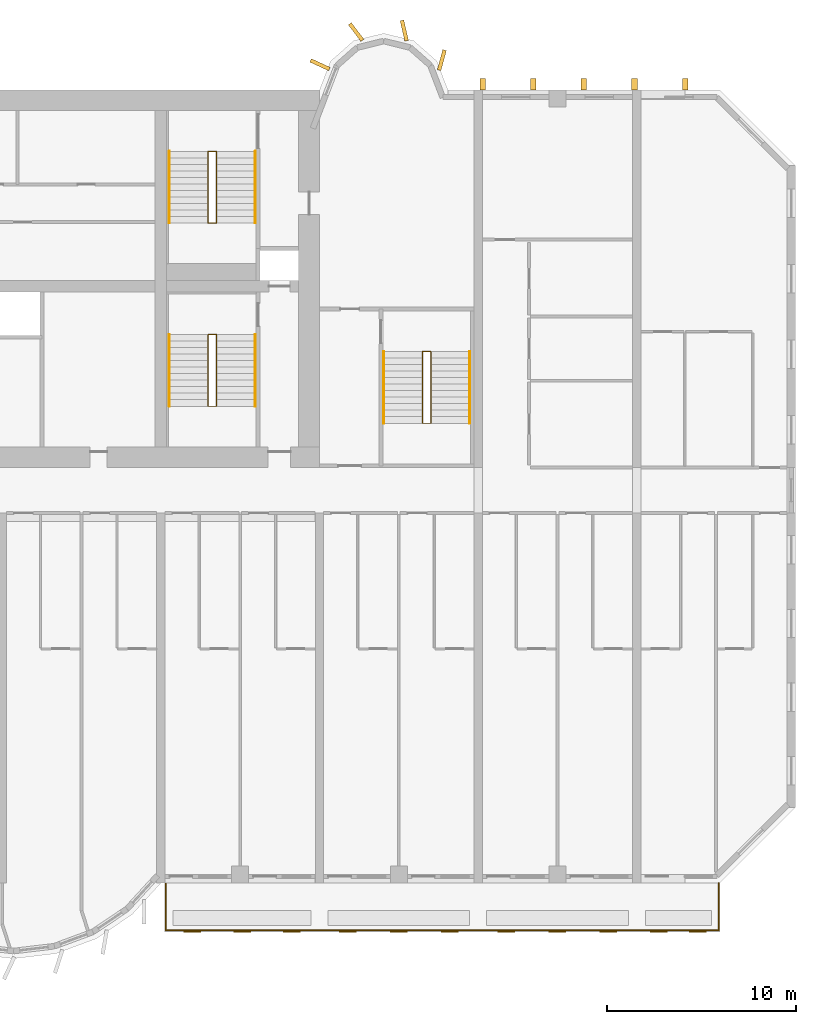
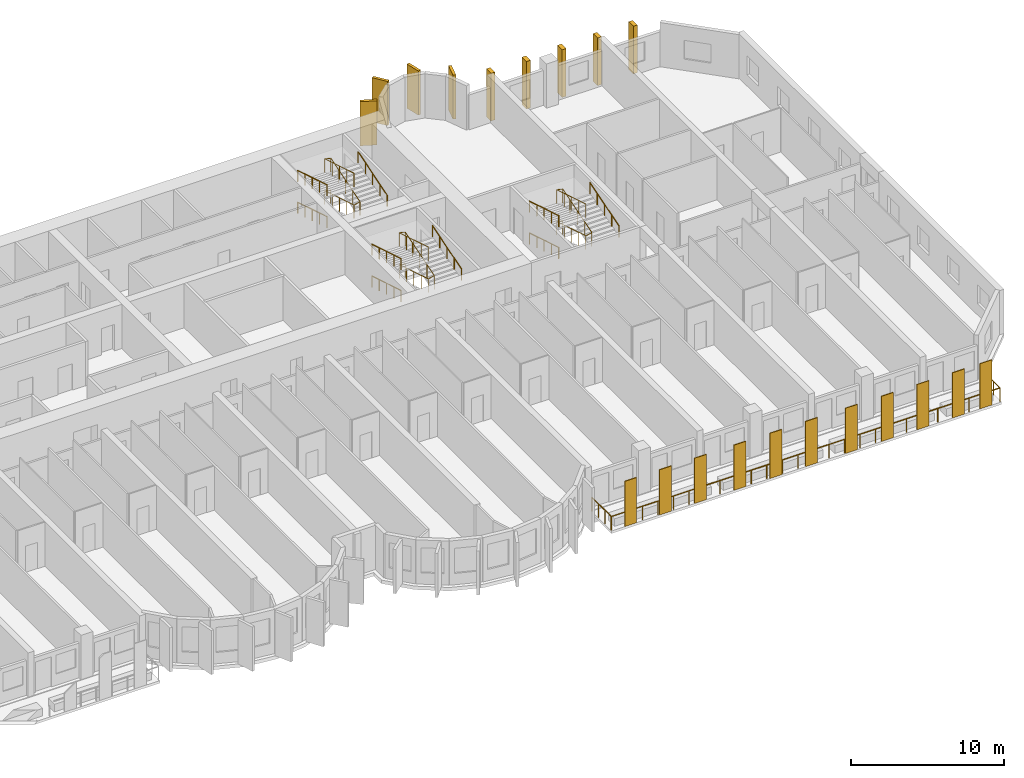
# One storey, part 14 of 15: 20 coverings, 13 railings.
"""IFC4 building model written with IfcOpenShell, lengths in metres."""

from ifc_helpers import new_model, si_unit, direction, frame, origin, origin_2d, place, context, subcontext, project, spatial, rectangle, circle, extrude, source, transform, mapped, material, layer, layer_set, material_profile, profile_set, type_object, element, save


model = new_model("IFC4")

# Units and contexts
model_context = context("Model", 3, precision=1e-05, world=origin(), true_north=direction((0.0, 1.0)))
body_context = subcontext(model_context, "Body", "Model", "MODEL_VIEW")
ifc_project = project(units=[si_unit("LENGTHUNIT", "METRE"), si_unit("AREAUNIT", "SQUARE_METRE"), si_unit("VOLUMEUNIT", "CUBIC_METRE"), si_unit("PLANEANGLEUNIT", "RADIAN"), si_unit("MASSUNIT", "GRAM", prefix="KILO")], contexts=[model_context])

# Site, building, storey
site_placement = place(None, origin())
site = spatial("IfcSite", under=ifc_project, at=site_placement, CompositionType="ELEMENT")
building_placement = place(site_placement, origin())
building = spatial("IfcBuilding", under=site, at=building_placement, Name="Vanashikhar Sky Hotel", CompositionType="ELEMENT")
storey_placement = place(building_placement, frame((0.0, 0.0, 31.60009765625)))
storey = spatial("IfcBuildingStorey", under=building, at=storey_placement, Name="L06", CompositionType="ELEMENT", Elevation=31.60009765625)

# Railing
ifc_material_1 = material(Name="Stainless steel 316", Category="steel")
railing_type_1 = type_object("IfcRailingType", Name="Balcony guard 1100", PredefinedType="GUARDRAIL", material=ifc_material_1)
shared_shape_1 = source(origin(), body_context, "Body", "SweptSolid", [
    extrude(circle(Radius=0.02392578125, at=origin_2d()), frame((0.0, 0.0, 1.076171875), z_axis=(0.0, -1.0, 0.0), x_axis=(1.0, 0.0, 0.0)), (0.0, 0.0, 1.0), 2.5),
    extrude(circle(Radius=0.02392578125, at=origin_2d()), frame((0.0, -2.5, 1.076171875), z_axis=(1.0, 0.0, 0.0), x_axis=(0.0, 1.0, 0.0)), (0.0, 0.0, 1.0), 29.280029296875),
    extrude(circle(Radius=0.02392578125, at=origin_2d()), frame((29.280029296875, -2.5, 1.076171875), z_axis=(0.0, 1.0, 0.0), x_axis=(-1.0, 0.0, 0.0)), (0.0, 0.0, 1.0), 2.5),
    extrude(circle(Radius=0.02099609375, at=origin_2d()), origin(), (0.0, 0.0, 1.0), 1.052001953125),
    extrude(circle(Radius=0.02099609375, at=origin_2d()), frame((0.0, -0.833251953125, 0.0)), (0.0, 0.0, 1.0), 1.052001953125),
    extrude(circle(Radius=0.02099609375, at=origin_2d()), frame((0.0, -1.666748046875, 0.0)), (0.0, 0.0, 1.0), 1.052001953125),
    extrude(circle(Radius=0.02099609375, at=origin_2d()), frame((0.0, -2.5, 0.0)), (0.0, 0.0, 1.0), 1.052001953125),
    extrude(circle(Radius=0.02099609375, at=origin_2d()), frame((1.171142578125, -2.5, 0.0)), (0.0, 0.0, 1.0), 1.052001953125),
    extrude(circle(Radius=0.02099609375, at=origin_2d()), frame((2.34228515625, -2.5, 0.0)), (0.0, 0.0, 1.0), 1.052001953125),
    extrude(circle(Radius=0.02099609375, at=origin_2d()), frame((3.513671875, -2.5, 0.0)), (0.0, 0.0, 1.0), 1.052001953125),
    extrude(circle(Radius=0.02099609375, at=origin_2d()), frame((4.684814453125, -2.5, 0.0)), (0.0, 0.0, 1.0), 1.052001953125),
    extrude(circle(Radius=0.02099609375, at=origin_2d()), frame((5.85595703125, -2.5, 0.0)), (0.0, 0.0, 1.0), 1.052001953125),
    extrude(circle(Radius=0.02099609375, at=origin_2d()), frame((7.027099609375, -2.5, 0.0)), (0.0, 0.0, 1.0), 1.052001953125),
    extrude(circle(Radius=0.02099609375, at=origin_2d()), frame((8.198486328125, -2.5, 0.0)), (0.0, 0.0, 1.0), 1.052001953125),
    extrude(circle(Radius=0.02099609375, at=origin_2d()), frame((9.36962890625, -2.5, 0.0)), (0.0, 0.0, 1.0), 1.052001953125),
    extrude(circle(Radius=0.02099609375, at=origin_2d()), frame((10.540771484375, -2.5, 0.0)), (0.0, 0.0, 1.0), 1.052001953125),
    extrude(circle(Radius=0.02099609375, at=origin_2d()), frame((11.7119140625, -2.5, 0.0)), (0.0, 0.0, 1.0), 1.052001953125),
    extrude(circle(Radius=0.02099609375, at=origin_2d()), frame((12.88330078125, -2.5, 0.0)), (0.0, 0.0, 1.0), 1.052001953125),
    extrude(circle(Radius=0.02099609375, at=origin_2d()), frame((14.054443359375, -2.5, 0.0)), (0.0, 0.0, 1.0), 1.052001953125),
    extrude(circle(Radius=0.02099609375, at=origin_2d()), frame((15.2255859375, -2.5, 0.0)), (0.0, 0.0, 1.0), 1.052001953125),
    extrude(circle(Radius=0.02099609375, at=origin_2d()), frame((16.396728515625, -2.5, 0.0)), (0.0, 0.0, 1.0), 1.052001953125),
    extrude(circle(Radius=0.02099609375, at=origin_2d()), frame((17.568115234375, -2.5, 0.0)), (0.0, 0.0, 1.0), 1.052001953125),
    extrude(circle(Radius=0.02099609375, at=origin_2d()), frame((18.7392578125, -2.5, 0.0)), (0.0, 0.0, 1.0), 1.052001953125),
    extrude(circle(Radius=0.02099609375, at=origin_2d()), frame((19.910400390625, -2.5, 0.0)), (0.0, 0.0, 1.0), 1.052001953125),
    extrude(circle(Radius=0.02099609375, at=origin_2d()), frame((21.08154296875, -2.5, 0.0)), (0.0, 0.0, 1.0), 1.052001953125),
    extrude(circle(Radius=0.02099609375, at=origin_2d()), frame((22.2529296875, -2.5, 0.0)), (0.0, 0.0, 1.0), 1.052001953125),
    extrude(circle(Radius=0.02099609375, at=origin_2d()), frame((23.424072265625, -2.5, 0.0)), (0.0, 0.0, 1.0), 1.052001953125),
    extrude(circle(Radius=0.02099609375, at=origin_2d()), frame((24.59521484375, -2.5, 0.0)), (0.0, 0.0, 1.0), 1.052001953125),
    extrude(circle(Radius=0.02099609375, at=origin_2d()), frame((25.766357421875, -2.5, 0.0)), (0.0, 0.0, 1.0), 1.052001953125),
    extrude(circle(Radius=0.02099609375, at=origin_2d()), frame((26.937744140625, -2.5, 0.0)), (0.0, 0.0, 1.0), 1.052001953125),
    extrude(circle(Radius=0.02099609375, at=origin_2d()), frame((28.10888671875, -2.5, 0.0)), (0.0, 0.0, 1.0), 1.052001953125),
    extrude(circle(Radius=0.02099609375, at=origin_2d()), frame((29.280029296875, -2.5, 0.0)), (0.0, 0.0, 1.0), 1.052001953125),
    extrude(circle(Radius=0.02099609375, at=origin_2d()), frame((29.280029296875, -1.666748046875, 0.0)), (0.0, 0.0, 1.0), 1.052001953125),
    extrude(circle(Radius=0.02099609375, at=origin_2d()), frame((29.280029296875, -0.833251953125, 0.0)), (0.0, 0.0, 1.0), 1.052001953125),
    extrude(circle(Radius=0.02099609375, at=origin_2d()), frame((29.280029296875, 0.0, 0.0)), (0.0, 0.0, 1.0), 1.052001953125),
])
railing_1_placement = place(storey_placement, frame((67.4599609375, 0.0, -0.050048828125)))
element("IfcRailing", 1, at=railing_1_placement, inside=storey, type_object=railing_type_1, Name="Balcony guard", PredefinedType="GUARDRAIL", context=body_context, shape_type="MappedRepresentation", body=[
    mapped(shared_shape_1, transform((0.0, 0.0, 0.0), scale=1.0)),
])

# Coverings
ifc_material_2 = material(Name="Terracotta", Category="masonry")
ifc_layer = layer(ifc_material_2, 0.06005859375)
ifc_layer_set = layer_set([ifc_layer], Name="Terracotta baguette screen")
covering_type_1 = type_object("IfcCoveringType", Name="Terracotta baguette screen", PredefinedType="CLADDING", material=ifc_layer_set)
shared_shape_2 = source(origin(), body_context, "Body", "SweptSolid", [
    extrude(rectangle(XDim=0.89990234375, YDim=0.06005859375, at=origin_2d()), origin(), (0.0, 0.0, 1.0), 3.60009765625),
])
for number, where, z_axis, x_axis, name in (
    (2, (68.86669921875, -2.570068359375, -0.050048828125), (0.0, 0.0, 1.0), (1.0, 0.0, 0.0), "Terracotta screen"),
    (3, (71.5, -2.570068359375, -0.050048828125), (0.0, 0.0, 1.0), (1.0, 0.0, 0.0), "Terracotta screen"),
    (4, (74.13330078125, -2.570068359375, -0.050048828125), (0.0, 0.0, 1.0), (1.0, 0.0, 0.0), "Terracotta screen"),
    (5, (77.10009765625, -2.570068359375, -0.050048828125), (0.0, 0.0, 1.0), (1.0, 0.0, 0.0), "Terracotta screen"),
    (6, (79.800048828125, -2.570068359375, -0.050048828125), (0.0, 0.0, 1.0), (1.0, 0.0, 0.0), "Terracotta screen"),
    (7, (82.5, -2.570068359375, -0.050048828125), (0.0, 0.0, 1.0), (1.0, 0.0, 0.0), "Terracotta screen"),
    (8, (85.5, -2.570068359375, -0.050048828125), (0.0, 0.0, 1.0), (1.0, 0.0, 0.0), "Terracotta screen"),
    (9, (88.199951171875, -2.570068359375, -0.050048828125), (0.0, 0.0, 1.0), (1.0, 0.0, 0.0), "Terracotta screen"),
    (10, (90.89990234375, -2.570068359375, -0.050048828125), (0.0, 0.0, 1.0), (1.0, 0.0, 0.0), "Terracotta screen"),
    (11, (93.574951171875, -2.570068359375, -0.050048828125), (0.0, 0.0, 1.0), (1.0, 0.0, 0.0), "Terracotta screen"),
    (12, (95.625, -2.570068359375, -0.050048828125), (0.0, 0.0, 1.0), (1.0, 0.0, 0.0), "Terracotta screen"),
):
    element("IfcCovering", number, at=place(storey_placement, frame(where, z_axis=z_axis, x_axis=x_axis)), inside=storey, type_object=covering_type_1, Name=name, PredefinedType="CLADDING", context=body_context, shape_type="MappedRepresentation", body=[
        mapped(shared_shape_2, transform((0.0, 0.0, 0.0), scale=1.0)),
    ])
ifc_material_3 = material(Name="Concrete M60 dark", Category="concrete")
ifc_material_profile_1 = material_profile(ifc_material_3, rectangle(XDim=1.10009765625, YDim=0.199951171875, at=origin_2d()))
ifc_profile_set_1 = profile_set([ifc_material_profile_1], Name="Rear lobe fin 1100 x 200")
covering_type_2 = type_object("IfcCoveringType", Name="Rear lobe fin 1100 x 200", PredefinedType="CLADDING", material=ifc_profile_set_1)
shared_shape_3 = source(origin(), body_context, "Body", "SweptSolid", [
    extrude(rectangle(XDim=1.10009765625, YDim=0.199951171875, at=origin_2d()), origin(), (0.0, 0.0, 1.0), 3.52001953125),
])
for number, where, z_axis, x_axis, name in (
    (13, (75.63037109375, 43.33447265625, 0.0), (0.0, 0.0, 1.0), (-0.908004291068, 0.418960866193, 0.0), "Fin R2-1"),
    (14, (77.5380859375, 45.06640625, 0.0), (0.0, 0.0, 1.0), (-0.602065892195, 0.798446404874, 0.0), "Fin R2-2"),
    (15, (80.08984375, 45.1455078125, 0.0), (0.0, 0.0, 1.0), (-0.224644935864, 0.974440687159, 0.0), "Fin R2-3"),
    (16, (82.0791015625, 43.580078125, 0.0), (0.0, 0.0, 1.0), (0.262711264409, 0.964874495234, 0.0), "Fin R2-4"),
):
    element("IfcCovering", number, at=place(storey_placement, frame(where, z_axis=z_axis, x_axis=x_axis)), inside=storey, type_object=covering_type_2, Name=name, PredefinedType="CLADDING", context=body_context, shape_type="MappedRepresentation", body=[
        mapped(shared_shape_3, transform((0.0, 0.0, 0.0), scale=1.0)),
    ])
ifc_material_profile_2 = material_profile(ifc_material_3, rectangle(XDim=0.60009765625, YDim=0.300048828125, at=origin_2d()))
ifc_profile_set_2 = profile_set([ifc_material_profile_2], Name="Rear rib 600 x 300")
covering_type_3 = type_object("IfcCoveringType", Name="Rear rib 600 x 300", PredefinedType="CLADDING", material=ifc_profile_set_2)
shared_shape_4 = source(origin(), body_context, "Body", "SweptSolid", [
    extrude(rectangle(XDim=0.60009765625, YDim=0.300048828125, at=origin_2d()), origin(), (0.0, 0.0, 1.0), 3.800048828125),
])
for number, where, z_axis, x_axis, name in (
    (17, (84.239990234375, 42.300048828125, -0.280029296875), (0.0, 0.0, 1.0), (0.0, 1.0, 0.0), "Rear rib"),
    (18, (86.919921875, 42.300048828125, -0.280029296875), (0.0, 0.0, 1.0), (0.0, 1.0, 0.0), "Rear rib"),
    (19, (89.60009765625, 42.300048828125, -0.280029296875), (0.0, 0.0, 1.0), (0.0, 1.0, 0.0), "Rear rib"),
    (20, (92.280029296875, 42.300048828125, -0.280029296875), (0.0, 0.0, 1.0), (0.0, 1.0, 0.0), "Rear rib"),
    (21, (94.9599609375, 42.300048828125, -0.280029296875), (0.0, 0.0, 1.0), (0.0, 1.0, 0.0), "Rear rib"),
):
    element("IfcCovering", number, at=place(storey_placement, frame(where, z_axis=z_axis, x_axis=x_axis)), inside=storey, type_object=covering_type_3, Name=name, PredefinedType="CLADDING", context=body_context, shape_type="MappedRepresentation", body=[
        mapped(shared_shape_4, transform((0.0, 0.0, 0.0), scale=1.0)),
    ])

# Railings
ifc_material_4 = material(Name="Steel S355", Category="steel")
railing_type_2 = type_object("IfcRailingType", Name="Stair handrail 900", PredefinedType="HANDRAIL", material=ifc_material_4)
shared_shape_5 = source(origin(), body_context, "Body", "SweptSolid", [
    extrude(circle(Radius=0.02392578125, at=origin_2d()), frame((0.0, 0.0, 0.8759765625), z_axis=(0.0, 0.95635109408, 0.292220096591), x_axis=(-1.0, 0.0, 0.0)), (0.0, 0.0, 1.0), 3.973388671875),
    extrude(circle(Radius=0.02099609375, at=origin_2d()), origin(), (0.0, 0.0, 1.0), 0.851806640625),
    extrude(circle(Radius=0.02099609375, at=origin_2d()), frame((0.0, 0.949951171875, 0.290283203125)), (0.0, 0.0, 1.0), 0.851806640625),
    extrude(circle(Radius=0.02099609375, at=origin_2d()), frame((0.0, 1.89990234375, 0.58056640625)), (0.0, 0.0, 1.0), 0.851806640625),
    extrude(circle(Radius=0.02099609375, at=origin_2d()), frame((0.0, 2.85009765625, 0.870849609375)), (0.0, 0.0, 1.0), 0.851806640625),
    extrude(circle(Radius=0.02099609375, at=origin_2d()), frame((0.0, 3.800048828125, 1.1611328125)), (0.0, 0.0, 1.0), 0.851806640625),
])
for number, where, name in (
    (22, (72.199951171875, 25.25, 1.3720703125), "Exit stair 2 handrail"),
    (23, (72.199951171875, 34.949951171875, 1.3720703125), "Exit stair 6 handrail"),
):
    element("IfcRailing", number, at=place(storey_placement, frame(where)), inside=storey, type_object=railing_type_2, Name=name, PredefinedType="HANDRAIL", context=body_context, shape_type="MappedRepresentation", body=[
        mapped(shared_shape_5, transform((0.0, 0.0, 0.0), scale=1.0)),
    ])
shared_shape_6 = source(origin(), body_context, "Body", "SweptSolid", [
    extrude(circle(Radius=0.02392578125, at=origin_2d()), frame((0.0, 0.0, 0.8759765625), z_axis=(0.0, -0.95635109408, 0.292220096591), x_axis=(1.0, 0.0, 0.0)), (0.0, 0.0, 1.0), 3.973388671875),
    extrude(circle(Radius=0.02099609375, at=origin_2d()), origin(), (0.0, 0.0, 1.0), 0.851806640625),
    extrude(circle(Radius=0.02099609375, at=origin_2d()), frame((0.0, -0.949951171875, 0.290283203125)), (0.0, 0.0, 1.0), 0.851806640625),
    extrude(circle(Radius=0.02099609375, at=origin_2d()), frame((0.0, -1.89990234375, 0.58056640625)), (0.0, 0.0, 1.0), 0.851806640625),
    extrude(circle(Radius=0.02099609375, at=origin_2d()), frame((0.0, -2.85009765625, 0.870849609375)), (0.0, 0.0, 1.0), 0.851806640625),
    extrude(circle(Radius=0.02099609375, at=origin_2d()), frame((0.0, -3.800048828125, 1.1611328125)), (0.0, 0.0, 1.0), 0.851806640625),
])
for number, where, name in (
    (24, (67.64990234375, 29.050048828125, 0.10546875), "Exit stair 2 handrail"),
    (25, (67.64990234375, 29.050048828125, 2.638671875), "Exit stair 2 handrail"),
    (26, (67.64990234375, 38.75, 0.10546875), "Exit stair 6 handrail"),
    (27, (67.64990234375, 38.75, 2.638671875), "Exit stair 6 handrail"),
):
    element("IfcRailing", number, at=place(storey_placement, frame(where)), inside=storey, type_object=railing_type_2, Name=name, PredefinedType="HANDRAIL", context=body_context, shape_type="MappedRepresentation", body=[
        mapped(shared_shape_6, transform((0.0, 0.0, 0.0), scale=1.0)),
    ])
railing_type_3 = type_object("IfcRailingType", Name="Stair guard 1100", PredefinedType="GUARDRAIL", material=ifc_material_4)
shared_shape_7 = source(origin(), body_context, "Body", "SweptSolid", [
    extrude(circle(Radius=0.02392578125, at=origin_2d()), frame((0.0, 0.0, 1.076171875), z_axis=(-0.973610808694, 0.0, 0.228214796178), x_axis=(0.0, -1.0, 0.0)), (0.0, 0.0, 1.0), 0.462158203125),
    extrude(circle(Radius=0.02392578125, at=origin_2d()), frame((-0.449951171875, 0.0, 1.181640625), z_axis=(0.0, -0.95635109408, 0.292220096591), x_axis=(1.0, 0.0, 0.0)), (0.0, 0.0, 1.0), 3.973388671875),
    extrude(circle(Radius=0.02392578125, at=origin_2d()), frame((-0.449951171875, -3.800048828125, 2.3427734375), z_axis=(0.973610808694, 0.0, 0.228214796178), x_axis=(0.0, 1.0, 0.0)), (0.0, 0.0, 1.0), 0.462158203125),
    extrude(circle(Radius=0.02392578125, at=origin_2d()), frame((0.0, -3.800048828125, 2.4482421875), z_axis=(0.0, 0.95635109408, 0.292220096591), x_axis=(-1.0, 0.0, 0.0)), (0.0, 0.0, 1.0), 3.973388671875),
    extrude(circle(Radius=0.02392578125, at=origin_2d()), frame((0.0, 0.0, 3.609375), z_axis=(-0.973610808694, 0.0, 0.228214796178), x_axis=(0.0, -1.0, 0.0)), (0.0, 0.0, 1.0), 0.462158203125),
    extrude(circle(Radius=0.02392578125, at=origin_2d()), frame((-0.449951171875, 0.0, 3.71484375), z_axis=(0.0, -0.95635109408, 0.292220096591), x_axis=(1.0, 0.0, 0.0)), (0.0, 0.0, 1.0), 3.973388671875),
    extrude(circle(Radius=0.02099609375, at=origin_2d()), origin(), (0.0, 0.0, 1.0), 1.052001953125),
    extrude(circle(Radius=0.02099609375, at=origin_2d()), frame((-0.449951171875, 0.0, 0.10546875)), (0.0, 0.0, 1.0), 1.052001953125),
    extrude(circle(Radius=0.02099609375, at=origin_2d()), frame((-0.449951171875, -0.949951171875, 0.395751953125)), (0.0, 0.0, 1.0), 1.052001953125),
    extrude(circle(Radius=0.02099609375, at=origin_2d()), frame((-0.449951171875, -1.89990234375, 0.68603515625)), (0.0, 0.0, 1.0), 1.052001953125),
    extrude(circle(Radius=0.02099609375, at=origin_2d()), frame((-0.449951171875, -2.85009765625, 0.976318359375)), (0.0, 0.0, 1.0), 1.052001953125),
    extrude(circle(Radius=0.02099609375, at=origin_2d()), frame((-0.449951171875, -3.800048828125, 1.2666015625)), (0.0, 0.0, 1.0), 1.052001953125),
    extrude(circle(Radius=0.02099609375, at=origin_2d()), frame((0.0, -3.800048828125, 1.3720703125)), (0.0, 0.0, 1.0), 1.052001953125),
    extrude(circle(Radius=0.02099609375, at=origin_2d()), frame((0.0, -2.85009765625, 1.662353515625)), (0.0, 0.0, 1.0), 1.052001953125),
    extrude(circle(Radius=0.02099609375, at=origin_2d()), frame((0.0, -1.89990234375, 1.95263671875)), (0.0, 0.0, 1.0), 1.052001953125),
    extrude(circle(Radius=0.02099609375, at=origin_2d()), frame((0.0, -0.949951171875, 2.242919921875)), (0.0, 0.0, 1.0), 1.052001953125),
    extrude(circle(Radius=0.02099609375, at=origin_2d()), frame((0.0, 0.0, 2.533203125)), (0.0, 0.0, 1.0), 1.052001953125),
    extrude(circle(Radius=0.02099609375, at=origin_2d()), frame((-0.449951171875, 0.0, 2.638671875)), (0.0, 0.0, 1.0), 1.052001953125),
    extrude(circle(Radius=0.02099609375, at=origin_2d()), frame((-0.449951171875, -0.949951171875, 2.928955078125)), (0.0, 0.0, 1.0), 1.052001953125),
    extrude(circle(Radius=0.02099609375, at=origin_2d()), frame((-0.449951171875, -1.89990234375, 3.21923828125)), (0.0, 0.0, 1.0), 1.052001953125),
    extrude(circle(Radius=0.02099609375, at=origin_2d()), frame((-0.449951171875, -2.85009765625, 3.509521484375)), (0.0, 0.0, 1.0), 1.052001953125),
    extrude(circle(Radius=0.02099609375, at=origin_2d()), frame((-0.449951171875, -3.800048828125, 3.7998046875)), (0.0, 0.0, 1.0), 1.052001953125),
])
for number, where, name in (
    (28, (70.14990234375, 29.050048828125, 0.0), "Exit stair 2 guard"),
    (29, (70.14990234375, 38.75, 0.0), "Exit stair 6 guard"),
):
    element("IfcRailing", number, at=place(storey_placement, frame(where)), inside=storey, type_object=railing_type_3, Name=name, PredefinedType="GUARDRAIL", context=body_context, shape_type="MappedRepresentation", body=[
        mapped(shared_shape_7, transform((0.0, 0.0, 0.0), scale=1.0)),
    ])
shared_shape_8 = source(origin(), body_context, "Body", "SweptSolid", [
    extrude(circle(Radius=0.02392578125, at=origin_2d()), frame((0.0, 0.0, 0.8759765625), z_axis=(0.0, 0.956345846891, 0.292237268557), x_axis=(-1.0, 0.0, 0.0)), (0.0, 0.0, 1.0), 3.97314453125),
    extrude(circle(Radius=0.02099609375, at=origin_2d()), origin(), (0.0, 0.0, 1.0), 0.851806640625),
    extrude(circle(Radius=0.02099609375, at=origin_2d()), frame((0.0, 0.949951171875, 0.290283203125)), (0.0, 0.0, 1.0), 0.851806640625),
    extrude(circle(Radius=0.02099609375, at=origin_2d()), frame((0.0, 1.89990234375, 0.58056640625)), (0.0, 0.0, 1.0), 0.851806640625),
    extrude(circle(Radius=0.02099609375, at=origin_2d()), frame((0.0, 2.849853515625, 0.870849609375)), (0.0, 0.0, 1.0), 0.851806640625),
    extrude(circle(Radius=0.02099609375, at=origin_2d()), frame((0.0, 3.7998046875, 1.1611328125)), (0.0, 0.0, 1.0), 0.851806640625),
])
railing_2_placement = place(storey_placement, frame((83.550048828125, 24.35009765625, 1.3720703125)))
element("IfcRailing", 30, at=railing_2_placement, inside=storey, type_object=railing_type_2, Name="Exit stair 4 handrail", PredefinedType="HANDRAIL", context=body_context, shape_type="MappedRepresentation", body=[
    mapped(shared_shape_8, transform((0.0, 0.0, 0.0), scale=1.0)),
])
shared_shape_9 = source(origin(), body_context, "Body", "SweptSolid", [
    extrude(circle(Radius=0.02392578125, at=origin_2d()), frame((0.0, 0.0, 0.8759765625), z_axis=(0.0, -0.956345846891, 0.292237268557), x_axis=(1.0, 0.0, 0.0)), (0.0, 0.0, 1.0), 3.97314453125),
    extrude(circle(Radius=0.02099609375, at=origin_2d()), origin(), (0.0, 0.0, 1.0), 0.851806640625),
    extrude(circle(Radius=0.02099609375, at=origin_2d()), frame((0.0, -0.949951171875, 0.290283203125)), (0.0, 0.0, 1.0), 0.851806640625),
    extrude(circle(Radius=0.02099609375, at=origin_2d()), frame((0.0, -1.89990234375, 0.58056640625)), (0.0, 0.0, 1.0), 0.851806640625),
    extrude(circle(Radius=0.02099609375, at=origin_2d()), frame((0.0, -2.849853515625, 0.870849609375)), (0.0, 0.0, 1.0), 0.851806640625),
    extrude(circle(Radius=0.02099609375, at=origin_2d()), frame((0.0, -3.7998046875, 1.1611328125)), (0.0, 0.0, 1.0), 0.851806640625),
])
for number, where, name in (
    (31, (79.0, 28.14990234375, 0.10546875), "Exit stair 4 handrail"),
    (32, (79.0, 28.14990234375, 2.638671875), "Exit stair 4 handrail"),
):
    element("IfcRailing", number, at=place(storey_placement, frame(where)), inside=storey, type_object=railing_type_2, Name=name, PredefinedType="HANDRAIL", context=body_context, shape_type="MappedRepresentation", body=[
        mapped(shared_shape_9, transform((0.0, 0.0, 0.0), scale=1.0)),
    ])
shared_shape_10 = source(origin(), body_context, "Body", "SweptSolid", [
    extrude(circle(Radius=0.02392578125, at=origin_2d()), frame((0.0, 0.0, 1.076171875), z_axis=(-0.973610808694, 0.0, 0.228214796178), x_axis=(0.0, -1.0, 0.0)), (0.0, 0.0, 1.0), 0.462158203125),
    extrude(circle(Radius=0.02392578125, at=origin_2d()), frame((-0.449951171875, 0.0, 1.181640625), z_axis=(0.0, -0.956345846891, 0.292237268557), x_axis=(1.0, 0.0, 0.0)), (0.0, 0.0, 1.0), 3.97314453125),
    extrude(circle(Radius=0.02392578125, at=origin_2d()), frame((-0.449951171875, -3.7998046875, 2.3427734375), z_axis=(0.973610808694, 0.0, 0.228214796178), x_axis=(0.0, 1.0, 0.0)), (0.0, 0.0, 1.0), 0.462158203125),
    extrude(circle(Radius=0.02392578125, at=origin_2d()), frame((0.0, -3.7998046875, 2.4482421875), z_axis=(0.0, 0.956345846891, 0.292237268557), x_axis=(-1.0, 0.0, 0.0)), (0.0, 0.0, 1.0), 3.97314453125),
    extrude(circle(Radius=0.02392578125, at=origin_2d()), frame((0.0, 0.0, 3.609375), z_axis=(-0.973610808694, 0.0, 0.228214796178), x_axis=(0.0, -1.0, 0.0)), (0.0, 0.0, 1.0), 0.462158203125),
    extrude(circle(Radius=0.02392578125, at=origin_2d()), frame((-0.449951171875, 0.0, 3.71484375), z_axis=(0.0, -0.956345846891, 0.292237268557), x_axis=(1.0, 0.0, 0.0)), (0.0, 0.0, 1.0), 3.97314453125),
    extrude(circle(Radius=0.02099609375, at=origin_2d()), origin(), (0.0, 0.0, 1.0), 1.052001953125),
    extrude(circle(Radius=0.02099609375, at=origin_2d()), frame((-0.449951171875, 0.0, 0.10546875)), (0.0, 0.0, 1.0), 1.052001953125),
    extrude(circle(Radius=0.02099609375, at=origin_2d()), frame((-0.449951171875, -0.949951171875, 0.395751953125)), (0.0, 0.0, 1.0), 1.052001953125),
    extrude(circle(Radius=0.02099609375, at=origin_2d()), frame((-0.449951171875, -1.89990234375, 0.68603515625)), (0.0, 0.0, 1.0), 1.052001953125),
    extrude(circle(Radius=0.02099609375, at=origin_2d()), frame((-0.449951171875, -2.849853515625, 0.976318359375)), (0.0, 0.0, 1.0), 1.052001953125),
    extrude(circle(Radius=0.02099609375, at=origin_2d()), frame((-0.449951171875, -3.7998046875, 1.2666015625)), (0.0, 0.0, 1.0), 1.052001953125),
    extrude(circle(Radius=0.02099609375, at=origin_2d()), frame((0.0, -3.7998046875, 1.3720703125)), (0.0, 0.0, 1.0), 1.052001953125),
    extrude(circle(Radius=0.02099609375, at=origin_2d()), frame((0.0, -2.849853515625, 1.662353515625)), (0.0, 0.0, 1.0), 1.052001953125),
    extrude(circle(Radius=0.02099609375, at=origin_2d()), frame((0.0, -1.89990234375, 1.95263671875)), (0.0, 0.0, 1.0), 1.052001953125),
    extrude(circle(Radius=0.02099609375, at=origin_2d()), frame((0.0, -0.949951171875, 2.242919921875)), (0.0, 0.0, 1.0), 1.052001953125),
    extrude(circle(Radius=0.02099609375, at=origin_2d()), frame((0.0, 0.0, 2.533203125)), (0.0, 0.0, 1.0), 1.052001953125),
    extrude(circle(Radius=0.02099609375, at=origin_2d()), frame((-0.449951171875, 0.0, 2.638671875)), (0.0, 0.0, 1.0), 1.052001953125),
    extrude(circle(Radius=0.02099609375, at=origin_2d()), frame((-0.449951171875, -0.949951171875, 2.928955078125)), (0.0, 0.0, 1.0), 1.052001953125),
    extrude(circle(Radius=0.02099609375, at=origin_2d()), frame((-0.449951171875, -1.89990234375, 3.21923828125)), (0.0, 0.0, 1.0), 1.052001953125),
    extrude(circle(Radius=0.02099609375, at=origin_2d()), frame((-0.449951171875, -2.849853515625, 3.509521484375)), (0.0, 0.0, 1.0), 1.052001953125),
    extrude(circle(Radius=0.02099609375, at=origin_2d()), frame((-0.449951171875, -3.7998046875, 3.7998046875)), (0.0, 0.0, 1.0), 1.052001953125),
])
railing_3_placement = place(storey_placement, frame((81.5, 28.14990234375, 0.0)))
element("IfcRailing", 33, at=railing_3_placement, inside=storey, type_object=railing_type_3, Name="Exit stair 4 guard", PredefinedType="GUARDRAIL", context=body_context, shape_type="MappedRepresentation", body=[
    mapped(shared_shape_10, transform((0.0, 0.0, 0.0), scale=1.0)),
])

save(model, "model.ifc")
